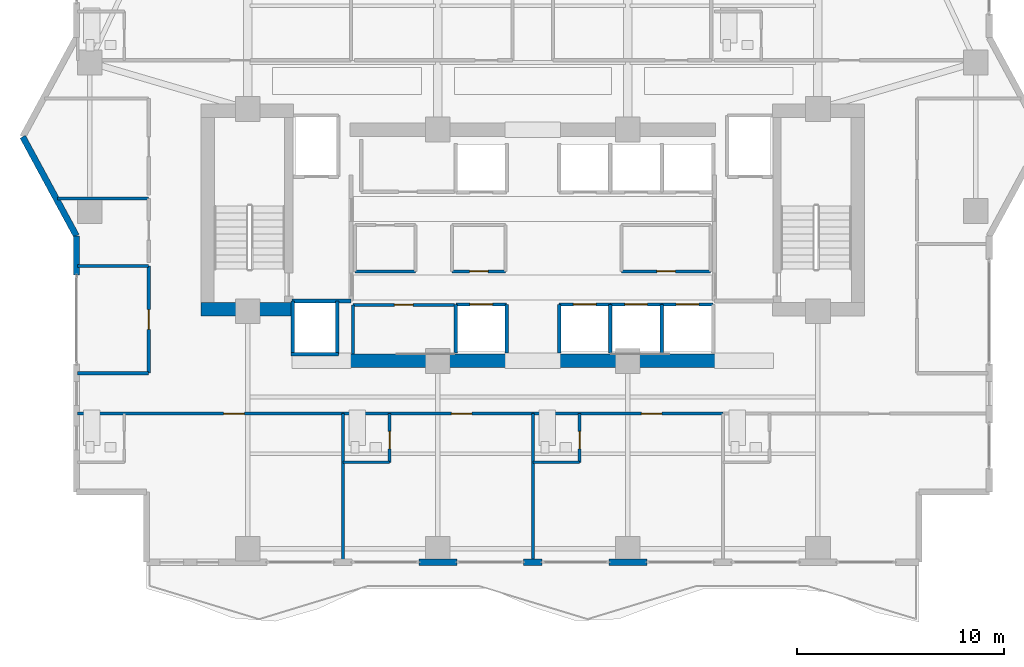
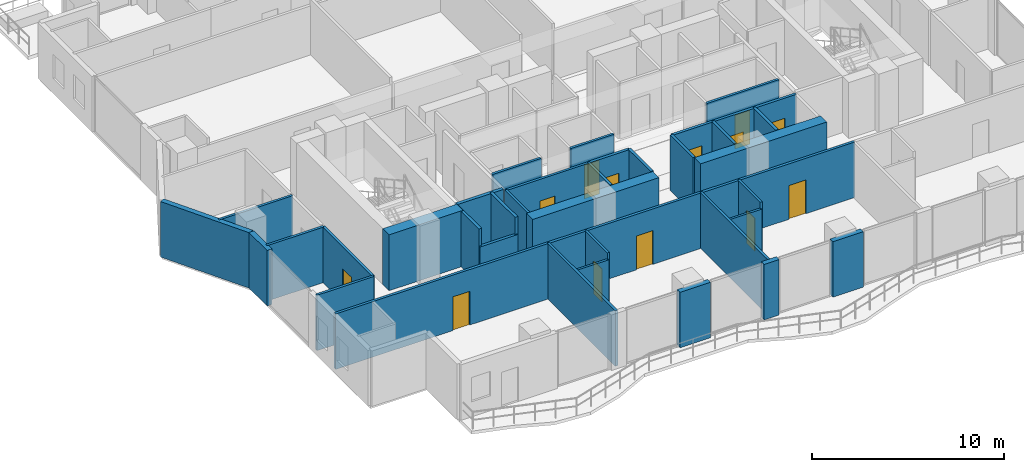
# One storey, part 24 of 32: 39 walls, 13 doors, 13 openings.
"""IFC4 building model written with IfcOpenShell, lengths in metres."""

from ifc_helpers import new_model, si_unit, direction, frame, frame_2d, origin, place, context, subcontext, project, spatial, rectangle, extrude, material, layer, layer_set, type_object, element, fill, save


model = new_model("IFC4")

# Units and contexts
model_context = context("Model", 3, precision=1e-05, world=origin(), true_north=direction((0.0, 1.0)))
body_context = subcontext(model_context, "Body", "Model", "MODEL_VIEW")
ifc_project = project(units=[si_unit("LENGTHUNIT", "METRE"), si_unit("AREAUNIT", "SQUARE_METRE"), si_unit("VOLUMEUNIT", "CUBIC_METRE"), si_unit("PLANEANGLEUNIT", "RADIAN"), si_unit("MASSUNIT", "GRAM", prefix="KILO")], contexts=[model_context])

# Site, building, storey
site_placement = place(None, origin())
site = spatial("IfcSite", under=ifc_project, at=site_placement, CompositionType="ELEMENT")
building_placement = place(site_placement, origin())
building = spatial("IfcBuilding", under=site, at=building_placement, Name="Zuhayl Quay Hotel", CompositionType="ELEMENT")
storey_placement = place(building_placement, frame((0.0, 0.0, 226.14990234375)))
storey = spatial("IfcBuildingStorey", under=building, at=storey_placement, Name="L57", CompositionType="ELEMENT", Elevation=226.14990234375)

# Walls
ifc_material_1 = material(Name="Concrete C50/60", Category="concrete")
ifc_layer_1 = layer(ifc_material_1, 0.64990234375, Name="Concrete C50/60", Category="concrete")
ifc_layer_set_1 = layer_set([ifc_layer_1], Name="Concrete C50/60")
wall_type_1 = type_object("IfcWallType", Name="WL_CORE_650", PredefinedType="SHEAR", material=ifc_layer_set_1)
wall_1_placement = place(storey_placement, frame((-16.06005859375, 4.64501953125, 0.0), z_axis=(0.0, 0.0, 1.0), x_axis=(1.0, 0.0, 0.0)))
element("IfcWall", 1, at=wall_1_placement, inside=storey, type_object=wall_type_1, Name="L57 Core Shear Wall CW_SW", PredefinedType="SHEAR", context=body_context, shape_type="SweptSolid", body=[
    extrude(rectangle(XDim=4.4599609375, YDim=0.64990234375, at=frame_2d((2.22998046875, 0.0))), origin(), (0.0, 0.0, 1.0), 3.56005859375),
])
for number, where, z_axis, x_axis, name in (
    (2, (-8.85009765625, 2.14990234375, 0.0), (0.0, 0.0, 1.0), (1.0, 0.0, 0.0), "L57 Core Shear Wall CW_SC_W"),
    (3, (1.25, 2.14990234375, 0.0), (0.0, 0.0, 1.0), (1.0, 0.0, 0.0), "L57 Core Shear Wall CW_SC_E"),
):
    element("IfcWall", number, at=place(storey_placement, frame(where, z_axis=z_axis, x_axis=x_axis)), inside=storey, type_object=wall_type_1, Name=name, PredefinedType="SHEAR", context=body_context, shape_type="SweptSolid", body=[
        extrude(rectangle(XDim=7.60009765625, YDim=0.64990234375, at=frame_2d((3.800048828125, 0.0))), origin(), (0.0, 0.0, 1.0), 3.530029296875),
    ])
ifc_material_2 = material(Name="Precast concrete C45/55", Category="concrete")
ifc_layer_2 = layer(ifc_material_2, 0.300048828125, Name="Precast concrete C45/55", Category="concrete")
ifc_layer_set_2 = layer_set([ifc_layer_2], Name="Precast concrete C45/55")
wall_type_2 = type_object("IfcWallType", Name="WL_EXT_300", PredefinedType="STANDARD", material=ifc_layer_set_2)
wall_2_placement = place(storey_placement, frame((-22.10009765625, 6.300048828125, 0.0), z_axis=(0.0, 0.0, 1.0), x_axis=(0.0, 1.0, 0.0)))
element("IfcWall", 4, at=wall_2_placement, inside=storey, type_object=wall_type_2, Name="L57 Exterior Precast Wall ENV_L57_E02_EW2", PredefinedType="STANDARD", context=body_context, shape_type="SweptSolid", body=[
    extrude(rectangle(XDim=1.89990234375, YDim=0.300048828125, at=frame_2d((0.949951171875, 0.0))), origin(), (0.0, 0.0, 1.0), 3.530029296875),
])
wall_3_placement = place(storey_placement, frame((-22.10009765625, 8.199951171875, 0.0), z_axis=(0.0, 0.0, 1.0), x_axis=(-0.476258655584, 0.879305233114, 0.0)))
element("IfcWall", 5, at=wall_3_placement, inside=storey, type_object=wall_type_2, Name="L57 Exterior Precast Wall ENV_L57_EW03", PredefinedType="STANDARD", context=body_context, shape_type="SweptSolid", body=[
    extrude(rectangle(XDim=5.458984375, YDim=0.300048828125, at=frame_2d((2.7294921875, 0.0))), origin(), (0.0, 0.0, 1.0), 3.530029296875),
])
wall_4_placement = place(storey_placement, frame((5.52001953125, -7.60009765625, 0.0), z_axis=(0.0, 0.0, 1.0), x_axis=(-1.0, 0.0, 0.0)))
element("IfcWall", 6, at=wall_4_placement, inside=storey, type_object=wall_type_2, Name="L57 Exterior Precast Wall ENV_L57_S_EW4", PredefinedType="STANDARD", context=body_context, shape_type="SweptSolid", body=[
    extrude(rectangle(XDim=1.840087890625, YDim=0.300048828125, at=frame_2d((0.919921875, 0.0))), origin(), (0.0, 0.0, 1.0), 3.530029296875),
])
wall_5_placement = place(storey_placement, frame((0.449951171875, -7.60009765625, 0.0), z_axis=(0.0, 0.0, 1.0), x_axis=(-1.0, 0.0, 0.0)))
element("IfcWall", 7, at=wall_5_placement, inside=storey, type_object=wall_type_2, Name="L57 Exterior Precast Wall ENV_L57_S_EW5", PredefinedType="STANDARD", context=body_context, shape_type="SweptSolid", body=[
    extrude(rectangle(XDim=0.89990234375, YDim=0.300048828125, at=frame_2d((0.449951171875, 0.0))), origin(), (0.0, 0.0, 1.0), 3.530029296875),
])
wall_6_placement = place(storey_placement, frame((-3.679931640625, -7.60009765625, 0.0), z_axis=(0.0, 0.0, 1.0), x_axis=(-1.0, 0.0, 0.0)))
element("IfcWall", 8, at=wall_6_placement, inside=storey, type_object=wall_type_2, Name="L57 Exterior Precast Wall ENV_L57_S_EW6", PredefinedType="STANDARD", context=body_context, shape_type="SweptSolid", body=[
    extrude(rectangle(XDim=1.840087890625, YDim=0.300048828125, at=frame_2d((0.919921875, 0.0))), origin(), (0.0, 0.0, 1.0), 3.530029296875),
])

# Wall, opening, door
ifc_material_3 = material(Name="Acoustic Gypsum Partition STC-58")
ifc_layer_3 = layer(ifc_material_3, 0.14990234375, Name="Acoustic Gypsum Partition STC-58")
ifc_layer_set_3 = layer_set([ifc_layer_3], Name="Acoustic Gypsum Partition STC-58")
wall_type_3 = type_object("IfcWallType", Name="WL_PART_150", PredefinedType="PARTITIONING", material=ifc_layer_set_3)
wall_7_placement = place(storey_placement, frame((-8.7099609375, 4.860107421875, 0.0), z_axis=(0.0, 0.0, 1.0), x_axis=(1.0, 0.0, 0.0)))
wall_7 = element("IfcWall", 9, at=wall_7_placement, inside=storey, type_object=wall_type_3, Name="L57 Partition IW_L57_FLP_S_N", PredefinedType="PARTITIONING", context=body_context, shape_type="SweptSolid", body=[
    extrude(rectangle(XDim=4.919921875, YDim=0.14990234375, at=frame_2d((2.4599609375, 0.0))), origin(), (0.0, 0.0, 1.0), 3.530029296875),
])
opening_1_placement = place(wall_7_placement, frame((2.010009765625, 0.0, 0.0)))
opening_1 = element("IfcOpeningElement", 10, at=opening_1_placement, cuts=wall_7, Name="Opening D06", PredefinedType="OPENING", context=body_context, shape_type="SweptSolid", body=[
    extrude(rectangle(XDim=0.89990234375, YDim=2.14990234375, at=frame_2d((0.449951171875, 1.074951171875))), frame((0.0, 0.0849609375, 0.0), z_axis=(0.0, -1.0, 0.0), x_axis=(1.0, 0.0, 0.0)), (0.0, 0.0, 1.0), 0.169921875),
])
ifc_material_4 = material(Name="Steel ASTM A992 Grade 50", Category="steel")
door_type_1 = type_object("IfcDoorType", Name="DR_INT_900", OperationType="NOTDEFINED", PredefinedType="DOOR", material=ifc_material_4)
door_1_placement = place(opening_1_placement, origin())
door_1 = element("IfcDoor", 11, at=door_1_placement, inside=storey, type_object=door_type_1, Name="L57 Executive Servery Door", OperationType="SINGLE_SWING_LEFT", OverallHeight=2.14990234375, OverallWidth=0.89990234375, PredefinedType="DOOR", context=body_context, shape_type="SweptSolid", body=[
    extrude(rectangle(XDim=0.89990234375, YDim=2.14990234375, at=frame_2d((0.449951171875, 1.074951171875))), frame((0.0, 0.02490234375, 0.0), z_axis=(0.0, -1.0, 0.0), x_axis=(1.0, 0.0, 0.0)), (0.0, 0.0, 1.0), 0.050048828125),
])
fill(opening_1, door_1)

wall_8_placement = place(storey_placement, frame((-3.909912109375, 6.47998046875, 0.0), z_axis=(0.0, 0.0, 1.0), x_axis=(1.0, 0.0, 0.0)))
wall_8 = element("IfcWall", 12, at=wall_8_placement, inside=storey, type_object=wall_type_3, Name="L57 Partition IW_L57_CORE_BC_S", PredefinedType="PARTITIONING", context=body_context, shape_type="SweptSolid", body=[
    extrude(rectangle(XDim=2.58984375, YDim=0.14990234375, at=frame_2d((1.294921875, 0.0))), origin(), (0.0, 0.0, 1.0), 3.530029296875),
])
opening_2_placement = place(wall_8_placement, frame((0.844970703125, 0.0, 0.0)))
opening_2 = element("IfcOpeningElement", 13, at=opening_2_placement, cuts=wall_8, Name="Opening D06", PredefinedType="OPENING", context=body_context, shape_type="SweptSolid", body=[
    extrude(rectangle(XDim=0.89990234375, YDim=2.14990234375, at=frame_2d((0.449951171875, 1.074951171875))), frame((0.0, 0.0849609375, 0.0), z_axis=(0.0, -1.0, 0.0), x_axis=(1.0, 0.0, 0.0)), (0.0, 0.0, 1.0), 0.169921875),
])
door_2_placement = place(opening_2_placement, origin())
door_2 = element("IfcDoor", 14, at=door_2_placement, inside=storey, type_object=door_type_1, Name="L57 BMS Control Closet Door", OperationType="SINGLE_SWING_RIGHT", OverallHeight=2.14990234375, OverallWidth=0.89990234375, PredefinedType="DOOR", context=body_context, shape_type="SweptSolid", body=[
    extrude(rectangle(XDim=0.89990234375, YDim=2.14990234375, at=frame_2d((0.449951171875, 1.074951171875))), frame((0.0, 0.02490234375, 0.0), z_axis=(0.0, -1.0, 0.0), x_axis=(1.0, 0.0, 0.0)), (0.0, 0.0, 1.0), 0.050048828125),
])
fill(opening_2, door_2)

wall_9_placement = place(storey_placement, frame((4.2900390625, 6.47998046875, 0.0), z_axis=(0.0, 0.0, 1.0), x_axis=(1.0, 0.0, 0.0)))
wall_9 = element("IfcWall", 15, at=wall_9_placement, inside=storey, type_object=wall_type_3, Name="L57 Partition IW_L57_CORE_VL_S", PredefinedType="PARTITIONING", context=body_context, shape_type="SweptSolid", body=[
    extrude(rectangle(XDim=4.320068359375, YDim=0.14990234375, at=frame_2d((2.16015625, 0.0))), origin(), (0.0, 0.0, 1.0), 3.530029296875),
])
opening_3_placement = place(wall_9_placement, frame((1.7099609375, 0.0, 0.0)))
opening_3 = element("IfcOpeningElement", 16, at=opening_3_placement, cuts=wall_9, Name="Opening D06", PredefinedType="OPENING", context=body_context, shape_type="SweptSolid", body=[
    extrude(rectangle(XDim=0.89990234375, YDim=2.14990234375, at=frame_2d((0.449951171875, 1.074951171875))), frame((0.0, 0.0849609375, 0.0), z_axis=(0.0, -1.0, 0.0), x_axis=(1.0, 0.0, 0.0)), (0.0, 0.0, 1.0), 0.169921875),
])
door_3_placement = place(opening_3_placement, origin())
door_3 = element("IfcDoor", 17, at=door_3_placement, inside=storey, type_object=door_type_1, Name="L57 Floor Valet Store Door", OperationType="SINGLE_SWING_LEFT", OverallHeight=2.14990234375, OverallWidth=0.89990234375, PredefinedType="DOOR", context=body_context, shape_type="SweptSolid", body=[
    extrude(rectangle(XDim=0.89990234375, YDim=2.14990234375, at=frame_2d((0.449951171875, 1.074951171875))), frame((0.0, 0.02490234375, 0.0), z_axis=(0.0, -1.0, 0.0), x_axis=(1.0, 0.0, 0.0)), (0.0, 0.0, 1.0), 0.050048828125),
])
fill(opening_3, door_3)

# Walls
wall_10_placement = place(storey_placement, frame((-8.7099609375, 2.489990234375, 0.0), z_axis=(0.0, 0.0, 1.0), x_axis=(0.0, 1.0, 0.0)))
element("IfcWall", 18, at=wall_10_placement, inside=storey, type_object=wall_type_3, Name="L57 Partition IW_L57_FLP_S_W", PredefinedType="PARTITIONING", context=body_context, shape_type="SweptSolid", body=[
    extrude(rectangle(XDim=2.3701171875, YDim=0.14990234375, at=frame_2d((1.18505859375, 0.0))), origin(), (0.0, 0.0, 1.0), 3.530029296875),
])
wall_11_placement = place(storey_placement, frame((-8.610107421875, 6.47998046875, 0.0), z_axis=(0.0, 0.0, 1.0), x_axis=(1.0, 0.0, 0.0)))
element("IfcWall", 19, at=wall_11_placement, inside=storey, type_object=wall_type_3, Name="L57 Partition IW_L57_CORE_HK_S", PredefinedType="PARTITIONING", context=body_context, shape_type="SweptSolid", body=[
    extrude(rectangle(XDim=2.920166015625, YDim=0.14990234375, at=frame_2d((1.4599609375, 0.0))), origin(), (0.0, 0.0, 1.0), 3.530029296875),
])
for number, where, z_axis, x_axis, name in (
    (20, (-9.199951171875, -7.52001953125, 0.0), (0.0, 0.0, 1.0), (0.0, 1.0, 0.0), "L57 Partition IW_L57_SU01_E"),
    (21, (0.0, -7.52001953125, 0.0), (0.0, 0.0, 1.0), (0.0, 1.0, 0.0), "L57 Partition IW_L57_SU02_E"),
):
    element("IfcWall", number, at=place(storey_placement, frame(where, z_axis=z_axis, x_axis=x_axis)), inside=storey, type_object=wall_type_3, Name=name, PredefinedType="PARTITIONING", context=body_context, shape_type="SweptSolid", body=[
        extrude(rectangle(XDim=7.1201171875, YDim=0.14990234375, at=frame_2d((3.56005859375, 0.0))), origin(), (0.0, 0.0, 1.0), 3.530029296875),
    ])
for number, where, z_axis, x_axis, name in (
    (22, (-22.0400390625, 1.550048828125, 0.0), (0.0, 0.0, 1.0), (1.0, 0.0, 0.0), "L57 Partition IW_L57_WPROW_1_S"),
    (23, (-22.0400390625, 6.75, 0.0), (0.0, 0.0, 1.0), (1.0, 0.0, 0.0), "L57 Partition IW_L57_WPROW_1_N"),
):
    element("IfcWall", number, at=place(storey_placement, frame(where, z_axis=z_axis, x_axis=x_axis)), inside=storey, type_object=wall_type_3, Name=name, PredefinedType="PARTITIONING", context=body_context, shape_type="SweptSolid", body=[
        extrude(rectangle(XDim=3.43994140625, YDim=0.14990234375, at=frame_2d((1.719970703125, 0.0))), origin(), (0.0, 0.0, 1.0), 3.530029296875),
    ])
wall_12_placement = place(storey_placement, frame((-23.02587890625, 10.02001953125, 0.0), z_axis=(0.0, 0.0, 1.0), x_axis=(1.0, 0.0, 0.0)))
element("IfcWall", 24, at=wall_12_placement, inside=storey, type_object=wall_type_3, Name="L57 Partition IW_L57_WPROW_2_N", PredefinedType="PARTITIONING", context=body_context, shape_type="SweptSolid", body=[
    extrude(rectangle(XDim=4.42578125, YDim=0.14990234375, at=frame_2d((2.212890625, 0.0))), origin(), (0.0, 0.0, 1.0), 3.530029296875),
])

# Wall, opening, door
ifc_layer_4 = layer(ifc_material_3, 0.159912109375, Name="Acoustic Gypsum Partition STC-58")
ifc_layer_set_4 = layer_set([ifc_layer_4], Name="Acoustic Gypsum Partition STC-58")
wall_type_4 = type_object("IfcWallType", Name="WL_PART_CORR_160", PredefinedType="PARTITIONING", material=ifc_layer_set_4)
wall_13_placement = place(storey_placement, frame((-22.0400390625, -0.39990234375, 0.0), z_axis=(0.0, 0.0, 1.0), x_axis=(1.0, 0.0, 0.0)))
wall_13 = element("IfcWall", 25, at=wall_13_placement, inside=storey, type_object=wall_type_4, Name="L57 Partition IW_L57_SU01_COR", PredefinedType="PARTITIONING", context=body_context, shape_type="SweptSolid", body=[
    extrude(rectangle(XDim=12.840087890625, YDim=0.159912109375, at=frame_2d((6.419921875, 0.0))), origin(), (0.0, 0.0, 1.0), 3.530029296875),
])
opening_4_placement = place(wall_13_placement, frame((7.070068359375, 0.0, 0.0)))
opening_4 = element("IfcOpeningElement", 26, at=opening_4_placement, cuts=wall_13, Name="Opening D03L", PredefinedType="OPENING", context=body_context, shape_type="SweptSolid", body=[
    extrude(rectangle(XDim=1.0, YDim=2.14990234375, at=frame_2d((0.5, 1.074951171875))), frame((0.0, 0.08984375, 0.0), z_axis=(0.0, -1.0, 0.0), x_axis=(1.0, 0.0, 0.0)), (0.0, 0.0, 1.0), 0.179931640625),
])
ifc_material_5 = material(Name="Solid Walnut Acoustic Fire Door")
door_type_2 = type_object("IfcDoorType", Name="DR_SUITE_1000", OperationType="NOTDEFINED", PredefinedType="DOOR", material=ifc_material_5)
door_4_placement = place(opening_4_placement, origin())
door_4 = element("IfcDoor", 27, at=door_4_placement, inside=storey, type_object=door_type_2, Name="L57 City-View Junior Suite L57-01 Entrance Door", OperationType="SINGLE_SWING_LEFT", OverallHeight=2.14990234375, OverallWidth=1.0, PredefinedType="DOOR", context=body_context, shape_type="SweptSolid", body=[
    extrude(rectangle(XDim=1.0, YDim=2.14990234375, at=frame_2d((0.5, 1.074951171875))), frame((0.0, 0.02490234375, 0.0), z_axis=(0.0, -1.0, 0.0), x_axis=(1.0, 0.0, 0.0)), (0.0, 0.0, 1.0), 0.050048828125),
])
fill(opening_4, door_4)

wall_14_placement = place(storey_placement, frame((-9.199951171875, -0.39990234375, 0.0), z_axis=(0.0, 0.0, 1.0), x_axis=(1.0, 0.0, 0.0)))
wall_14 = element("IfcWall", 28, at=wall_14_placement, inside=storey, type_object=wall_type_4, Name="L57 Partition IW_L57_SU02_COR", PredefinedType="PARTITIONING", context=body_context, shape_type="SweptSolid", body=[
    extrude(rectangle(XDim=9.199951171875, YDim=0.159912109375, at=frame_2d((4.60009765625, 0.0))), origin(), (0.0, 0.0, 1.0), 3.530029296875),
])
opening_5_placement = place(wall_14_placement, frame((5.25, 0.0, 0.0)))
opening_5 = element("IfcOpeningElement", 29, at=opening_5_placement, cuts=wall_14, Name="Opening D03L", PredefinedType="OPENING", context=body_context, shape_type="SweptSolid", body=[
    extrude(rectangle(XDim=1.0, YDim=2.14990234375, at=frame_2d((0.5, 1.074951171875))), frame((0.0, 0.08984375, 0.0), z_axis=(0.0, -1.0, 0.0), x_axis=(1.0, 0.0, 0.0)), (0.0, 0.0, 1.0), 0.179931640625),
])
door_5_placement = place(opening_5_placement, origin())
door_5 = element("IfcDoor", 30, at=door_5_placement, inside=storey, type_object=door_type_2, Name="L57 City-View Junior Suite L57-02 Entrance Door", OperationType="SINGLE_SWING_LEFT", OverallHeight=2.14990234375, OverallWidth=1.0, PredefinedType="DOOR", context=body_context, shape_type="SweptSolid", body=[
    extrude(rectangle(XDim=1.0, YDim=2.14990234375, at=frame_2d((0.5, 1.074951171875))), frame((0.0, 0.02490234375, 0.0), z_axis=(0.0, -1.0, 0.0), x_axis=(1.0, 0.0, 0.0)), (0.0, 0.0, 1.0), 0.050048828125),
])
fill(opening_5, door_5)

wall_15_placement = place(storey_placement, frame((0.0, -0.39990234375, 0.0), z_axis=(0.0, 0.0, 1.0), x_axis=(1.0, 0.0, 0.0)))
wall_15 = element("IfcWall", 31, at=wall_15_placement, inside=storey, type_object=wall_type_4, Name="L57 Partition IW_L57_SU03_COR", PredefinedType="PARTITIONING", context=body_context, shape_type="SweptSolid", body=[
    extrude(rectangle(XDim=9.199951171875, YDim=0.159912109375, at=frame_2d((4.60009765625, 0.0))), origin(), (0.0, 0.0, 1.0), 3.530029296875),
])
opening_6_placement = place(wall_15_placement, frame((5.25, 0.0, 0.0)))
opening_6 = element("IfcOpeningElement", 32, at=opening_6_placement, cuts=wall_15, Name="Opening D03L", PredefinedType="OPENING", context=body_context, shape_type="SweptSolid", body=[
    extrude(rectangle(XDim=1.0, YDim=2.14990234375, at=frame_2d((0.5, 1.074951171875))), frame((0.0, 0.08984375, 0.0), z_axis=(0.0, -1.0, 0.0), x_axis=(1.0, 0.0, 0.0)), (0.0, 0.0, 1.0), 0.179931640625),
])
door_6_placement = place(opening_6_placement, origin())
door_6 = element("IfcDoor", 33, at=door_6_placement, inside=storey, type_object=door_type_2, Name="L57 City-View Junior Suite L57-03 Entrance Door", OperationType="SINGLE_SWING_LEFT", OverallHeight=2.14990234375, OverallWidth=1.0, PredefinedType="DOOR", context=body_context, shape_type="SweptSolid", body=[
    extrude(rectangle(XDim=1.0, YDim=2.14990234375, at=frame_2d((0.5, 1.074951171875))), frame((0.0, 0.02490234375, 0.0), z_axis=(0.0, -1.0, 0.0), x_axis=(1.0, 0.0, 0.0)), (0.0, 0.0, 1.0), 0.050048828125),
])
fill(opening_6, door_6)

wall_16_placement = place(storey_placement, frame((-18.60009765625, 1.550048828125, 0.0), z_axis=(0.0, 0.0, 1.0), x_axis=(0.0, 1.0, 0.0)))
wall_16 = element("IfcWall", 34, at=wall_16_placement, inside=storey, type_object=wall_type_4, Name="L57 Partition IW_L57_WPROW_1_E", PredefinedType="PARTITIONING", context=body_context, shape_type="SweptSolid", body=[
    extrude(rectangle(XDim=5.199951171875, YDim=0.159912109375, at=frame_2d((2.60009765625, 0.0))), origin(), (0.0, 0.0, 1.0), 3.530029296875),
])
opening_7_placement = place(wall_16_placement, frame((2.125, 0.0, 0.0)))
opening_7 = element("IfcOpeningElement", 35, at=opening_7_placement, cuts=wall_16, Name="Opening D03", PredefinedType="OPENING", context=body_context, shape_type="SweptSolid", body=[
    extrude(rectangle(XDim=0.949951171875, YDim=2.14990234375, at=frame_2d((0.47509765625, 1.074951171875))), frame((0.0, 0.08984375, 0.0), z_axis=(0.0, -1.0, 0.0), x_axis=(1.0, 0.0, 0.0)), (0.0, 0.0, 1.0), 0.179931640625),
])
door_type_3 = type_object("IfcDoorType", Name="DR_SUITE_950", OperationType="NOTDEFINED", PredefinedType="DOOR", material=ifc_material_5)
door_7_placement = place(opening_7_placement, origin())
door_7 = element("IfcDoor", 36, at=door_7_placement, inside=storey, type_object=door_type_3, Name="L57 West Prow Office L57 Door", OperationType="SINGLE_SWING_RIGHT", OverallHeight=2.14990234375, OverallWidth=0.949951171875, PredefinedType="DOOR", context=body_context, shape_type="SweptSolid", body=[
    extrude(rectangle(XDim=0.949951171875, YDim=2.14990234375, at=frame_2d((0.47509765625, 1.074951171875))), frame((0.0, 0.02490234375, 0.0), z_axis=(0.0, -1.0, 0.0), x_axis=(1.0, 0.0, 0.0)), (0.0, 0.0, 1.0), 0.050048828125),
])
fill(opening_7, door_7)

ifc_material_6 = material(Name="Moisture-Resistant Sanitarychase Gypsum")
ifc_layer_5 = layer(ifc_material_6, 0.135009765625, Name="Moisture-Resistant Sanitarychase Gypsum")
ifc_layer_set_5 = layer_set([ifc_layer_5], Name="Moisture-Resistant Sanitarychase Gypsum")
wall_type_5 = type_object("IfcWallType", Name="WL_PART_PLUMB_150", PredefinedType="PLUMBINGWALL", material=ifc_layer_set_5)
wall_17_placement = place(storey_placement, frame((-6.93994140625, -2.760009765625, 0.0), z_axis=(0.0, 0.0, 1.0), x_axis=(0.0, 1.0, 0.0)))
wall_17 = element("IfcWall", 37, at=wall_17_placement, inside=storey, type_object=wall_type_5, Name="L57 Partition IW_L57_SU02_BE", PredefinedType="PLUMBINGWALL", context=body_context, shape_type="SweptSolid", body=[
    extrude(rectangle(XDim=2.360107421875, YDim=0.135009765625, at=frame_2d((1.18017578125, 0.0))), origin(), (0.0, 0.0, 1.0), 3.530029296875),
])
opening_8_placement = place(wall_17_placement, frame((0.64990234375, 0.0, 0.0)))
opening_8 = element("IfcOpeningElement", 38, at=opening_8_placement, cuts=wall_17, Name="Opening D04", PredefinedType="OPENING", context=body_context, shape_type="SweptSolid", body=[
    extrude(rectangle(XDim=0.85009765625, YDim=2.10009765625, at=frame_2d((0.425048828125, 1.050048828125))), frame((0.0, 0.077392578125, 0.0), z_axis=(0.0, -1.0, 0.0), x_axis=(1.0, 0.0, 0.0)), (0.0, 0.0, 1.0), 0.155029296875),
])
ifc_material_7 = material(Name="Moisture-Resistant Walnut Veneer")
door_type_4 = type_object("IfcDoorType", Name="DR_BATH_850", OperationType="NOTDEFINED", PredefinedType="DOOR", material=ifc_material_7)
door_8_placement = place(opening_8_placement, origin())
door_8 = element("IfcDoor", 39, at=door_8_placement, inside=storey, type_object=door_type_4, Name="L57 City-View Junior Suite L57-02 En-Suite Door", OperationType="SINGLE_SWING_RIGHT", OverallHeight=2.10009765625, OverallWidth=0.85009765625, PredefinedType="DOOR", context=body_context, shape_type="SweptSolid", body=[
    extrude(rectangle(XDim=0.85009765625, YDim=2.10009765625, at=frame_2d((0.425048828125, 1.050048828125))), frame((0.0, 0.02490234375, 0.0), z_axis=(0.0, -1.0, 0.0), x_axis=(1.0, 0.0, 0.0)), (0.0, 0.0, 1.0), 0.050048828125),
])
fill(opening_8, door_8)

wall_18_placement = place(storey_placement, frame((2.260009765625, -2.760009765625, 0.0), z_axis=(0.0, 0.0, 1.0), x_axis=(0.0, 1.0, 0.0)))
wall_18 = element("IfcWall", 40, at=wall_18_placement, inside=storey, type_object=wall_type_5, Name="L57 Partition IW_L57_SU03_BE", PredefinedType="PLUMBINGWALL", context=body_context, shape_type="SweptSolid", body=[
    extrude(rectangle(XDim=2.360107421875, YDim=0.135009765625, at=frame_2d((1.18017578125, 0.0))), origin(), (0.0, 0.0, 1.0), 3.530029296875),
])
opening_9_placement = place(wall_18_placement, frame((0.64990234375, 0.0, 0.0)))
opening_9 = element("IfcOpeningElement", 41, at=opening_9_placement, cuts=wall_18, Name="Opening D04", PredefinedType="OPENING", context=body_context, shape_type="SweptSolid", body=[
    extrude(rectangle(XDim=0.85009765625, YDim=2.10009765625, at=frame_2d((0.425048828125, 1.050048828125))), frame((0.0, 0.077392578125, 0.0), z_axis=(0.0, -1.0, 0.0), x_axis=(1.0, 0.0, 0.0)), (0.0, 0.0, 1.0), 0.155029296875),
])
door_9_placement = place(opening_9_placement, origin())
door_9 = element("IfcDoor", 42, at=door_9_placement, inside=storey, type_object=door_type_4, Name="L57 City-View Junior Suite L57-03 En-Suite Door", OperationType="SINGLE_SWING_RIGHT", OverallHeight=2.10009765625, OverallWidth=0.85009765625, PredefinedType="DOOR", context=body_context, shape_type="SweptSolid", body=[
    extrude(rectangle(XDim=0.85009765625, YDim=2.10009765625, at=frame_2d((0.425048828125, 1.050048828125))), frame((0.0, 0.02490234375, 0.0), z_axis=(0.0, -1.0, 0.0), x_axis=(1.0, 0.0, 0.0)), (0.0, 0.0, 1.0), 0.050048828125),
])
fill(opening_9, door_9)

# Walls
for number, where, z_axis, x_axis, name in (
    (43, (-9.199951171875, -2.760009765625, 0.0), (0.0, 0.0, 1.0), (1.0, 0.0, 0.0), "L57 Partition IW_L57_SU02_BS"),
    (44, (0.0, -2.760009765625, 0.0), (0.0, 0.0, 1.0), (1.0, 0.0, 0.0), "L57 Partition IW_L57_SU03_BS"),
):
    element("IfcWall", number, at=place(storey_placement, frame(where, z_axis=z_axis, x_axis=x_axis)), inside=storey, type_object=wall_type_5, Name=name, PredefinedType="PLUMBINGWALL", context=body_context, shape_type="SweptSolid", body=[
        extrude(rectangle(XDim=2.260009765625, YDim=0.135009765625, at=frame_2d((1.1298828125, 0.0))), origin(), (0.0, 0.0, 1.0), 3.1240234375),
    ])

# Wall, opening, door
ifc_material_8 = material(Name="Gypsum Fireboard Assembly EI-90")
ifc_layer_6 = layer(ifc_material_8, 0.1650390625, Name="Gypsum Fireboard Assembly EI-90")
ifc_layer_set_6 = layer_set([ifc_layer_6], Name="Gypsum Fireboard Assembly EI-90")
wall_type_6 = type_object("IfcWallType", Name="WL_PART_SHAFT_160", PredefinedType="PARTITIONING", material=ifc_layer_set_6)
wall_19_placement = place(storey_placement, frame((-3.72998046875, 4.8798828125, 0.0), z_axis=(0.0, 0.0, 1.0), x_axis=(1.0, 0.0, 0.0)))
wall_19 = element("IfcWall", 45, at=wall_19_placement, inside=storey, type_object=wall_type_6, Name="L57 Partition IW_L57_SH_MP1_F", PredefinedType="PARTITIONING", context=body_context, shape_type="SweptSolid", body=[
    extrude(rectangle(XDim=2.4599609375, YDim=0.1650390625, at=frame_2d((1.22998046875, 0.0))), origin(), (0.0, 0.0, 1.0), 3.530029296875),
])
opening_10_placement = place(wall_19_placement, frame((0.679931640625, 0.0, 0.0)))
opening_10 = element("IfcOpeningElement", 46, at=opening_10_placement, cuts=wall_19, Name="Opening LD1", PredefinedType="OPENING", context=body_context, shape_type="SweptSolid", body=[
    extrude(rectangle(XDim=1.10009765625, YDim=2.25, at=frame_2d((0.550048828125, 1.125))), frame((0.0, 0.092529296875, 0.0), z_axis=(0.0, -1.0, 0.0), x_axis=(1.0, 0.0, 0.0)), (0.0, 0.0, 1.0), 0.18505859375),
])
ifc_material_9 = material(Name="Brushed Stainless Steel", Category="steel")
door_type_5 = type_object("IfcDoorType", Name="DR_LIFT_PASS_1100", OperationType="SLIDING_TO_LEFT", PredefinedType="DOOR", material=ifc_material_9)
door_10_placement = place(opening_10_placement, origin())
door_10 = element("IfcDoor", 47, at=door_10_placement, inside=storey, type_object=door_type_5, Name="L57 Lift MP1 Sliding Landing Door", OperationType="SLIDING_TO_LEFT", OverallHeight=2.25, OverallWidth=1.10009765625, PredefinedType="DOOR", context=body_context, shape_type="SweptSolid", body=[
    extrude(rectangle(XDim=1.10009765625, YDim=2.25, at=frame_2d((0.550048828125, 1.125))), frame((0.0, 0.02490234375, 0.0), z_axis=(0.0, -1.0, 0.0), x_axis=(1.0, 0.0, 0.0)), (0.0, 0.0, 1.0), 0.050048828125),
])
fill(opening_10, door_10)

wall_20_placement = place(storey_placement, frame((1.27001953125, 4.8798828125, 0.0), z_axis=(0.0, 0.0, 1.0), x_axis=(1.0, 0.0, 0.0)))
wall_20 = element("IfcWall", 48, at=wall_20_placement, inside=storey, type_object=wall_type_6, Name="L57 Partition IW_L57_SH_MP2_F", PredefinedType="PARTITIONING", context=body_context, shape_type="SweptSolid", body=[
    extrude(rectangle(XDim=2.47998046875, YDim=0.1650390625, at=frame_2d((1.239990234375, 0.0))), origin(), (0.0, 0.0, 1.0), 3.530029296875),
])
opening_11_placement = place(wall_20_placement, frame((0.68994140625, 0.0, 0.0)))
opening_11 = element("IfcOpeningElement", 49, at=opening_11_placement, cuts=wall_20, Name="Opening LD1", PredefinedType="OPENING", context=body_context, shape_type="SweptSolid", body=[
    extrude(rectangle(XDim=1.10009765625, YDim=2.25, at=frame_2d((0.550048828125, 1.125))), frame((0.0, 0.092529296875, 0.0), z_axis=(0.0, -1.0, 0.0), x_axis=(1.0, 0.0, 0.0)), (0.0, 0.0, 1.0), 0.18505859375),
])
door_11_placement = place(opening_11_placement, origin())
door_11 = element("IfcDoor", 50, at=door_11_placement, inside=storey, type_object=door_type_5, Name="L57 Lift MP2 Sliding Landing Door", OperationType="SLIDING_TO_LEFT", OverallHeight=2.25, OverallWidth=1.10009765625, PredefinedType="DOOR", context=body_context, shape_type="SweptSolid", body=[
    extrude(rectangle(XDim=1.10009765625, YDim=2.25, at=frame_2d((0.550048828125, 1.125))), frame((0.0, 0.02490234375, 0.0), z_axis=(0.0, -1.0, 0.0), x_axis=(1.0, 0.0, 0.0)), (0.0, 0.0, 1.0), 0.050048828125),
])
fill(opening_11, door_11)

wall_21_placement = place(storey_placement, frame((3.75, 4.8798828125, 0.0), z_axis=(0.0, 0.0, 1.0), x_axis=(1.0, 0.0, 0.0)))
wall_21 = element("IfcWall", 51, at=wall_21_placement, inside=storey, type_object=wall_type_6, Name="L57 Partition IW_L57_SH_HP1_F", PredefinedType="PARTITIONING", context=body_context, shape_type="SweptSolid", body=[
    extrude(rectangle(XDim=2.5, YDim=0.1650390625, at=frame_2d((1.25, 0.0))), origin(), (0.0, 0.0, 1.0), 3.530029296875),
])
opening_12_placement = place(wall_21_placement, frame((0.699951171875, 0.0, 0.0)))
opening_12 = element("IfcOpeningElement", 52, at=opening_12_placement, cuts=wall_21, Name="Opening LD1", PredefinedType="OPENING", context=body_context, shape_type="SweptSolid", body=[
    extrude(rectangle(XDim=1.10009765625, YDim=2.25, at=frame_2d((0.550048828125, 1.125))), frame((0.0, 0.092529296875, 0.0), z_axis=(0.0, -1.0, 0.0), x_axis=(1.0, 0.0, 0.0)), (0.0, 0.0, 1.0), 0.18505859375),
])
door_12_placement = place(opening_12_placement, origin())
door_12 = element("IfcDoor", 53, at=door_12_placement, inside=storey, type_object=door_type_5, Name="L57 Lift HP1 Sliding Landing Door", OperationType="SLIDING_TO_LEFT", OverallHeight=2.25, OverallWidth=1.10009765625, PredefinedType="DOOR", context=body_context, shape_type="SweptSolid", body=[
    extrude(rectangle(XDim=1.10009765625, YDim=2.25, at=frame_2d((0.550048828125, 1.125))), frame((0.0, 0.02490234375, 0.0), z_axis=(0.0, -1.0, 0.0), x_axis=(1.0, 0.0, 0.0)), (0.0, 0.0, 1.0), 0.050048828125),
])
fill(opening_12, door_12)

wall_22_placement = place(storey_placement, frame((6.25, 4.8798828125, 0.0), z_axis=(0.0, 0.0, 1.0), x_axis=(1.0, 0.0, 0.0)))
wall_22 = element("IfcWall", 54, at=wall_22_placement, inside=storey, type_object=wall_type_6, Name="L57 Partition IW_L57_SH_HP2_F", PredefinedType="PARTITIONING", context=body_context, shape_type="SweptSolid", body=[
    extrude(rectangle(XDim=2.47998046875, YDim=0.1650390625, at=frame_2d((1.239990234375, 0.0))), origin(), (0.0, 0.0, 1.0), 3.530029296875),
])
opening_13_placement = place(wall_22_placement, frame((0.68994140625, 0.0, 0.0)))
opening_13 = element("IfcOpeningElement", 55, at=opening_13_placement, cuts=wall_22, Name="Opening LD1", PredefinedType="OPENING", context=body_context, shape_type="SweptSolid", body=[
    extrude(rectangle(XDim=1.10009765625, YDim=2.25, at=frame_2d((0.550048828125, 1.125))), frame((0.0, 0.092529296875, 0.0), z_axis=(0.0, -1.0, 0.0), x_axis=(1.0, 0.0, 0.0)), (0.0, 0.0, 1.0), 0.18505859375),
])
door_13_placement = place(opening_13_placement, origin())
door_13 = element("IfcDoor", 56, at=door_13_placement, inside=storey, type_object=door_type_5, Name="L57 Lift HP2 Sliding Landing Door", OperationType="SLIDING_TO_LEFT", OverallHeight=2.25, OverallWidth=1.10009765625, PredefinedType="DOOR", context=body_context, shape_type="SweptSolid", body=[
    extrude(rectangle(XDim=1.10009765625, YDim=2.25, at=frame_2d((0.550048828125, 1.125))), frame((0.0, 0.02490234375, 0.0), z_axis=(0.0, -1.0, 0.0), x_axis=(1.0, 0.0, 0.0)), (0.0, 0.0, 1.0), 0.050048828125),
])
fill(opening_13, door_13)

# Walls
for number, where, z_axis, x_axis, name in (
    (57, (-3.72998046875, 2.52001953125, 0.0), (0.0, 0.0, 1.0), (0.0, 1.0, 0.0), "L57 Partition IW_L57_SH_MP1_W"),
    (58, (-1.27001953125, 2.52001953125, 0.0), (0.0, 0.0, 1.0), (0.0, 1.0, 0.0), "L57 Partition IW_L57_SH_MP1_E"),
    (59, (1.27001953125, 2.52001953125, 0.0), (0.0, 0.0, 1.0), (0.0, 1.0, 0.0), "L57 Partition IW_L57_SH_MP2_W"),
    (60, (3.75, 2.52001953125, 0.0), (0.0, 0.0, 1.0), (0.0, 1.0, 0.0), "L57 Partition IW_L57_SH_MP2_E"),
    (61, (6.25, 2.52001953125, 0.0), (0.0, 0.0, 1.0), (0.0, 1.0, 0.0), "L57 Partition IW_L57_SH_HP1_E"),
):
    element("IfcWall", number, at=place(storey_placement, frame(where, z_axis=z_axis, x_axis=x_axis)), inside=storey, type_object=wall_type_6, Name=name, PredefinedType="PARTITIONING", context=body_context, shape_type="SweptSolid", body=[
        extrude(rectangle(XDim=2.35986328125, YDim=0.1650390625, at=frame_2d((1.179931640625, 0.0))), origin(), (0.0, 0.0, 1.0), 3.530029296875),
    ])
wall_23_placement = place(storey_placement, frame((-11.6298828125, 2.469970703125, 0.0), z_axis=(0.0, 0.0, 1.0), x_axis=(0.0, 1.0, 0.0)))
element("IfcWall", 62, at=wall_23_placement, inside=storey, type_object=wall_type_6, Name="L57 Partition IW_L57_RISER_W", PredefinedType="PARTITIONING", context=body_context, shape_type="SweptSolid", body=[
    extrude(rectangle(XDim=2.580078125, YDim=0.1650390625, at=frame_2d((1.2900390625, 0.0))), origin(), (0.0, 0.0, 1.0), 3.530029296875),
])
wall_24_placement = place(storey_placement, frame((-11.7099609375, 2.469970703125, 0.0), z_axis=(0.0, 0.0, 1.0), x_axis=(1.0, 0.0, 0.0)))
element("IfcWall", 63, at=wall_24_placement, inside=storey, type_object=wall_type_6, Name="L57 Partition IW_L57_RISER_S", PredefinedType="PARTITIONING", context=body_context, shape_type="SweptSolid", body=[
    extrude(rectangle(XDim=2.31005859375, YDim=0.1650390625, at=frame_2d((1.155029296875, 0.0))), origin(), (0.0, 0.0, 1.0), 2.43017578125),
])
ifc_layer_7 = layer(ifc_material_8, 0.179931640625, Name="Gypsum Fireboard Assembly EI-90")
ifc_layer_set_7 = layer_set([ifc_layer_7], Name="Gypsum Fireboard Assembly EI-90")
wall_type_7 = type_object("IfcWallType", Name="WL_PART_SHAFT_180", PredefinedType="PARTITIONING", material=ifc_layer_set_7)
wall_25_placement = place(storey_placement, frame((-9.469970703125, 2.449951171875, 0.0), z_axis=(0.0, 0.0, 1.0), x_axis=(0.0, 1.0, 0.0)))
element("IfcWall", 64, at=wall_25_placement, inside=storey, type_object=wall_type_7, Name="L57 Partition IW_L57_RISER_E", PredefinedType="PARTITIONING", context=body_context, shape_type="SweptSolid", body=[
    extrude(rectangle(XDim=2.60009765625, YDim=0.179931640625, at=frame_2d((1.300048828125, 0.0))), origin(), (0.0, 0.0, 1.0), 3.530029296875),
])
ifc_material_10 = material(Name="Gypsum Fireboard Assembly EI-120")
ifc_layer_8 = layer(ifc_material_10, 0.199951171875, Name="Gypsum Fireboard Assembly EI-120")
ifc_layer_set_8 = layer_set([ifc_layer_8], Name="Gypsum Fireboard Assembly EI-120")
wall_type_8 = type_object("IfcWallType", Name="WL_PART_SHAFT_200", PredefinedType="PARTITIONING", material=ifc_layer_set_8)
wall_26_placement = place(storey_placement, frame((-11.64990234375, 5.050048828125, 0.0), z_axis=(0.0, 0.0, 1.0), x_axis=(1.0, 0.0, 0.0)))
element("IfcWall", 65, at=wall_26_placement, inside=storey, type_object=wall_type_8, Name="L57 Partition IW_L57_FSAE_W_S", PredefinedType="PARTITIONING", context=body_context, shape_type="SweptSolid", body=[
    extrude(rectangle(XDim=2.849853515625, YDim=0.199951171875, at=frame_2d((1.4248046875, 0.0))), origin(), (0.0, 0.0, 1.0), 3.530029296875),
])

save(model, "model.ifc")
